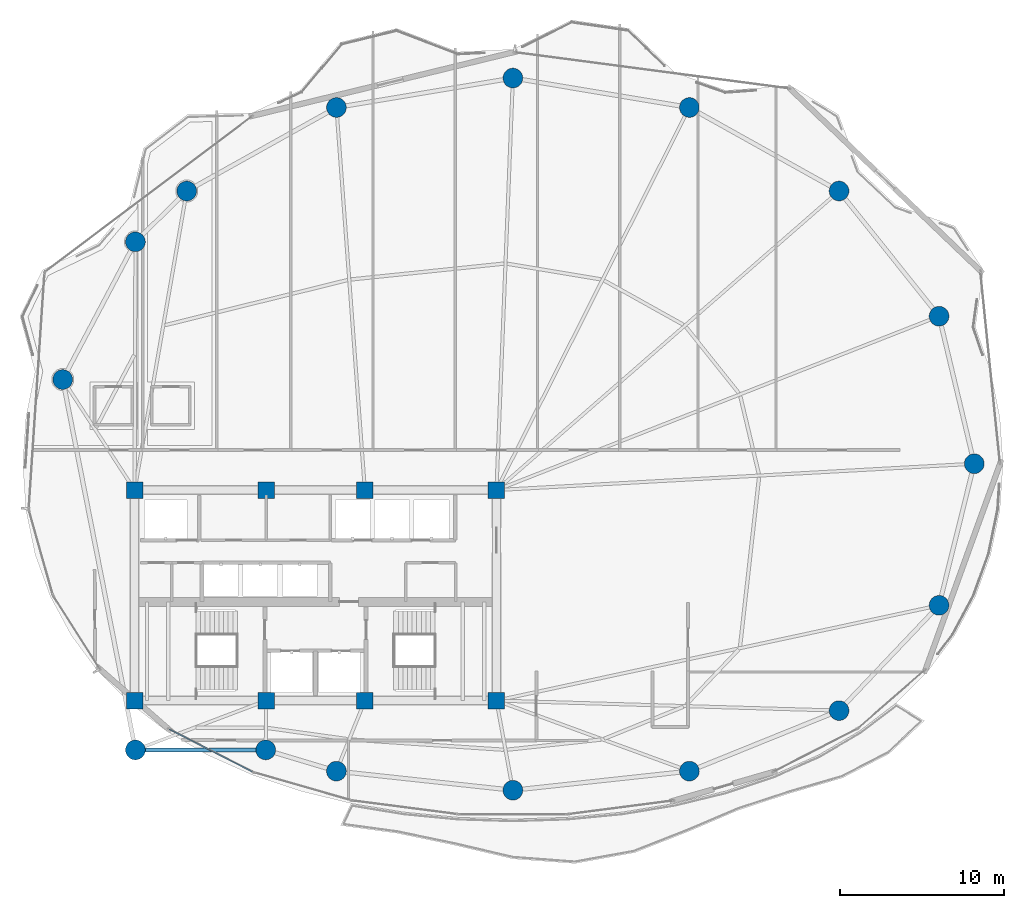
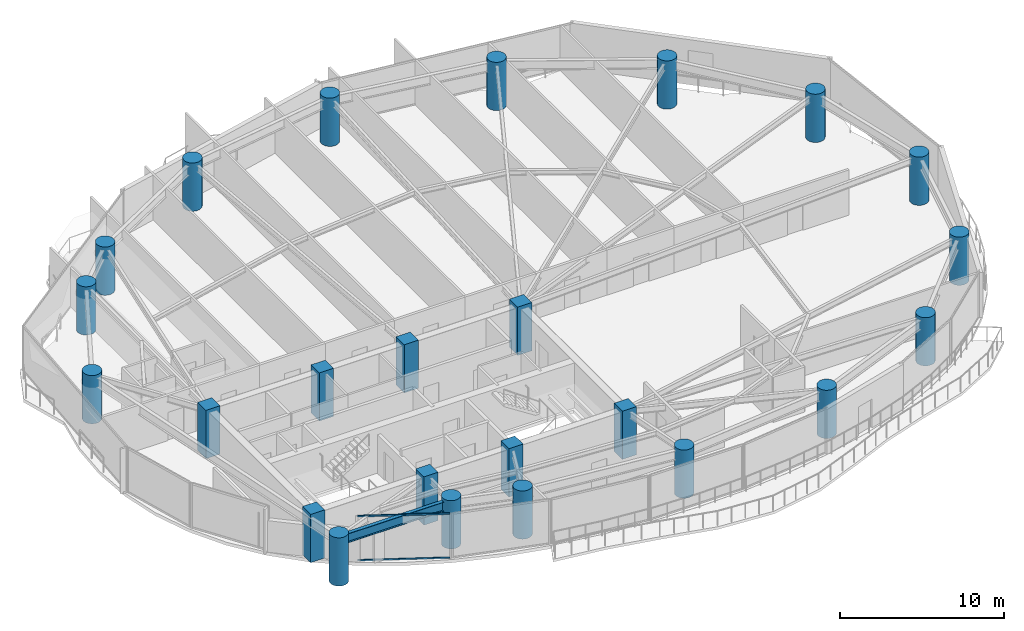
# One storey, part 1 of 30: 24 columns, 2 members, 1 beam, 1 element without a shape of its own.
"""IFC4 building model written with IfcOpenShell, lengths in metres."""

from ifc_helpers import new_model, si_unit, direction, frame, origin, origin_2d, place, context, subcontext, project, spatial, rectangle, hollow_rectangle, circle, i_section, extrude, material, layer, layer_set, material_profile, profile_set, type_object, element, aggregate, save


model = new_model("IFC4")

# Units and contexts
model_context = context("Model", 3, precision=1e-05, world=origin(), true_north=direction((0.0, 1.0)))
body_context = subcontext(model_context, "Body", "Model", "MODEL_VIEW")
ifc_project = project(units=[si_unit("LENGTHUNIT", "METRE"), si_unit("AREAUNIT", "SQUARE_METRE"), si_unit("VOLUMEUNIT", "CUBIC_METRE"), si_unit("PLANEANGLEUNIT", "RADIAN"), si_unit("MASSUNIT", "GRAM", prefix="KILO")], contexts=[model_context])

# Site, building, storey
site_placement = place(None, origin())
site = spatial("IfcSite", under=ifc_project, at=site_placement, CompositionType="ELEMENT")
building_placement = place(site_placement, origin())
building = spatial("IfcBuilding", under=site, at=building_placement, Name="Kazevale Care Tower and Concert Hall", CompositionType="ELEMENT")
storey_placement = place(building_placement, frame((0.0, 0.0, 127.800048828125)))
storey = spatial("IfcBuildingStorey", under=building, at=storey_placement, Name="L33", CompositionType="ELEMENT", Elevation=127.800048828125)

# Columns
ifc_material_1 = material(Name="Concrete C60", Category="concrete")
ifc_material_profile_1 = material_profile(ifc_material_1, rectangle(XDim=1.0, YDim=1.0, at=origin_2d()), Name="RC-SQ1000")
ifc_profile_set_1 = profile_set([ifc_material_profile_1], Name="Concrete C60")
column_type_1 = type_object("IfcColumnType", Name="Core Column SQ1000 C60", PredefinedType="COLUMN", material=ifc_profile_set_1)
for number, where, z_axis, x_axis, name in (
    (1, (22.0, 23.60009765625, 0.0), (0.0, 0.0, 1.0), (1.0, 0.0, 0.0), "col:L33:CC-01"),
    (2, (30.0, 23.60009765625, 0.0), (0.0, 0.0, 1.0), (1.0, 0.0, 0.0), "col:L33:CC-02"),
    (3, (36.0, 23.60009765625, 0.0), (0.0, 0.0, 1.0), (1.0, 0.0, 0.0), "col:L33:CC-03"),
    (4, (44.0, 23.60009765625, 0.0), (0.0, 0.0, 1.0), (1.0, 0.0, 0.0), "col:L33:CC-04"),
    (5, (44.0, 36.39990234375, 0.0), (0.0, 0.0, 1.0), (1.0, 0.0, 0.0), "col:L33:CC-05"),
    (6, (36.0, 36.39990234375, 0.0), (0.0, 0.0, 1.0), (1.0, 0.0, 0.0), "col:L33:CC-06"),
    (7, (30.0, 36.39990234375, 0.0), (0.0, 0.0, 1.0), (1.0, 0.0, 0.0), "col:L33:CC-07"),
    (8, (22.0, 36.39990234375, 0.0), (0.0, 0.0, 1.0), (1.0, 0.0, 0.0), "col:L33:CC-08"),
):
    element("IfcColumn", number, at=place(storey_placement, frame(where, z_axis=z_axis, x_axis=x_axis)), inside=storey, type_object=column_type_1, Name=name, PredefinedType="COLUMN", context=body_context, shape_type="SweptSolid", body=[
        extrude(rectangle(XDim=1.0, YDim=1.0, at=origin_2d()), origin(), (0.0, 0.0, 1.0), 3.599853515625),
    ])
ifc_material_profile_2 = material_profile(ifc_material_1, circle(Radius=0.60009765625, at=origin_2d()), Name="RC-CIR1200")
ifc_profile_set_2 = profile_set([ifc_material_profile_2], Name="Concrete C60")
column_type_2 = type_object("IfcColumnType", Name="Perimeter Column CIR1200 C60", PredefinedType="COLUMN", material=ifc_profile_set_2)
for number, where, z_axis, x_axis, name in (
    (9, (73.050048828125, 38.0, 0.0), (0.0, 0.0, 1.0), (1.0, 0.0, 0.0), "col:L33:PC-01"),
    (10, (70.909912109375, 46.969970703125, 0.0), (0.0, 0.0, 1.0), (1.0, 0.0, 0.0), "col:L33:PC-02"),
    (11, (64.830078125, 54.580078125, 0.0), (0.0, 0.0, 1.0), (1.0, 0.0, 0.0), "col:L33:PC-03"),
    (12, (55.72998046875, 59.659912109375, 0.0), (0.0, 0.0, 1.0), (1.0, 0.0, 0.0), "col:L33:PC-04"),
    (13, (45.0, 61.449951171875, 0.0), (0.0, 0.0, 1.0), (1.0, 0.0, 0.0), "col:L33:PC-05"),
    (14, (34.27001953125, 59.659912109375, 0.0), (0.0, 0.0, 1.0), (1.0, 0.0, 0.0), "col:L33:PC-06"),
    (15, (25.169921875, 54.580078125, 0.0), (0.0, 0.0, 1.0), (1.0, 0.0, 0.0), "col:L33:PC-07"),
    (16, (22.050048828125, 51.489990234375, 0.0), (0.0, 0.0, 1.0), (1.0, 0.0, 0.0), "col:L33:PC-08"),
    (17, (17.6298828125, 43.1201171875, 0.0), (0.0, 0.0, 1.0), (1.0, 0.0, 0.0), "col:L33:PC-09"),
    (18, (22.050048828125, 20.60009765625, 0.0), (0.0, 0.0, 1.0), (1.0, 0.0, 0.0), "col:L33:PC-10"),
    (19, (29.969970703125, 20.60009765625, 0.0), (0.0, 0.0, 1.0), (1.0, 0.0, 0.0), "col:L33:PC-11"),
    (20, (34.27001953125, 19.31005859375, 0.0), (0.0, 0.0, 1.0), (1.0, 0.0, 0.0), "col:L33:PC-12"),
    (21, (45.0, 18.14990234375, 0.0), (0.0, 0.0, 1.0), (1.0, 0.0, 0.0), "col:L33:PC-13"),
    (22, (55.72998046875, 19.31005859375, 0.0), (0.0, 0.0, 1.0), (1.0, 0.0, 0.0), "col:L33:PC-14"),
    (23, (64.830078125, 22.989990234375, 0.0), (0.0, 0.0, 1.0), (1.0, 0.0, 0.0), "col:L33:PC-15"),
    (24, (70.909912109375, 29.389892578125, 0.0), (0.0, 0.0, 1.0), (1.0, 0.0, 0.0), "col:L33:PC-16"),
):
    element("IfcColumn", number, at=place(storey_placement, frame(where, z_axis=z_axis, x_axis=x_axis)), inside=storey, type_object=column_type_2, Name=name, PredefinedType="COLUMN", context=body_context, shape_type="SweptSolid", body=[
        extrude(circle(Radius=0.60009765625, at=origin_2d()), origin(), (0.0, 0.0, 1.0), 3.599853515625),
    ])

# Curtain wall, members
ifc_material_2 = material(Name="Aluminium 6063-T6 and Low-E Glass", Category="aluminium")
ifc_layer = layer(ifc_material_2, 0.179931640625)
ifc_layer_set = layer_set([ifc_layer], Name="Aluminium 6063-T6 and Low-E Glass")
curtain_wall_type = type_object("IfcCurtainWallType", Name="Sheltered Concave Balcony Curtain Wall CW-5", PredefinedType="NOTDEFINED", material=ifc_layer_set)
curtain_wall_placement = place(storey_placement, origin())
curtain_wall = element("IfcCurtainWall", 25, at=curtain_wall_placement, inside=storey, type_object=curtain_wall_type, Name="cw:L33:f09", PredefinedType="NOTDEFINED")
ifc_material_3 = material(Name="Aluminium 6063-T6", Category="aluminium")
ifc_material_profile_3 = material_profile(ifc_material_3, hollow_rectangle(XDim=0.074951171875, YDim=0.1201171875, WallThickness=0.00390625, at=origin_2d()), Name="ALU75x120x4")
ifc_profile_set_3 = profile_set([ifc_material_profile_3], Name="Aluminium 6063-T6")
member_type = type_object("IfcMemberType", Name="CW-5 Transom ALU75x120x4", PredefinedType="USERDEFINED", material=ifc_profile_set_3)
member_1_placement = place(storey_placement, frame((29.144287109375, 19.279296875, 0.037353515625), z_axis=(-0.890142600475, 0.455682072084, 0.0), x_axis=(-0.455682072084, -0.890142600475, 0.0)))
member_1 = element("IfcMember", 26, at=member_1_placement, type_object=member_type, Name="CW-5 transom 1.1", ObjectType="TRANSOM", PredefinedType="USERDEFINED", context=body_context, shape_type="SweptSolid", body=[
    extrude(hollow_rectangle(XDim=0.074951171875, YDim=0.1201171875, WallThickness=0.00390625, at=origin_2d()), origin(), (0.0, 0.0, 1.0), 5.671630859375),
])
member_2_placement = place(storey_placement, frame((29.144287109375, 19.279296875, 3.322509765625), z_axis=(-0.890142600475, 0.455682072084, 0.0), x_axis=(-0.455682072084, -0.890142600475, 0.0)))
member_2 = element("IfcMember", 27, at=member_2_placement, type_object=member_type, Name="CW-5 transom 1.2", ObjectType="TRANSOM", PredefinedType="USERDEFINED", context=body_context, shape_type="SweptSolid", body=[
    extrude(hollow_rectangle(XDim=0.074951171875, YDim=0.1201171875, WallThickness=0.00390625, at=origin_2d()), origin(), (0.0, 0.0, 1.0), 5.671630859375),
])
aggregate(curtain_wall, [member_1, member_2])

# Beam
ifc_material_4 = material(Name="Steel ASTM A572 Gr 50", Category="steel")
ifc_material_profile_4 = material_profile(ifc_material_4, i_section(OverallWidth=0.256103515625, OverallDepth=0.693115234375, WebThickness=0.014404296875, FlangeThickness=0.023681640625, at=origin_2d()), Name="W690x170")
ifc_profile_set_4 = profile_set([ifc_material_profile_4], Name="Steel ASTM A572 Gr 50")
beam_type = type_object("IfcBeamType", Name="Waist Ring Beam W690x170", PredefinedType="BEAM", material=ifc_profile_set_4)
beam_placement = place(storey_placement, frame((22.050048828125, 20.60009765625, 3.013427734375), z_axis=(1.0, 0.0, 0.0), x_axis=(0.0, 1.0, 0.0)))
element("IfcBeam", 28, at=beam_placement, inside=storey, type_object=beam_type, Name="beam:L33:ring:10", PredefinedType="BEAM", context=body_context, shape_type="SweptSolid", body=[
    extrude(i_section(OverallWidth=0.256103515625, OverallDepth=0.693115234375, WebThickness=0.014404296875, FlangeThickness=0.023681640625, at=origin_2d()), origin(), (0.0, 0.0, 1.0), 7.919921875),
])

save(model, "model.ifc")
